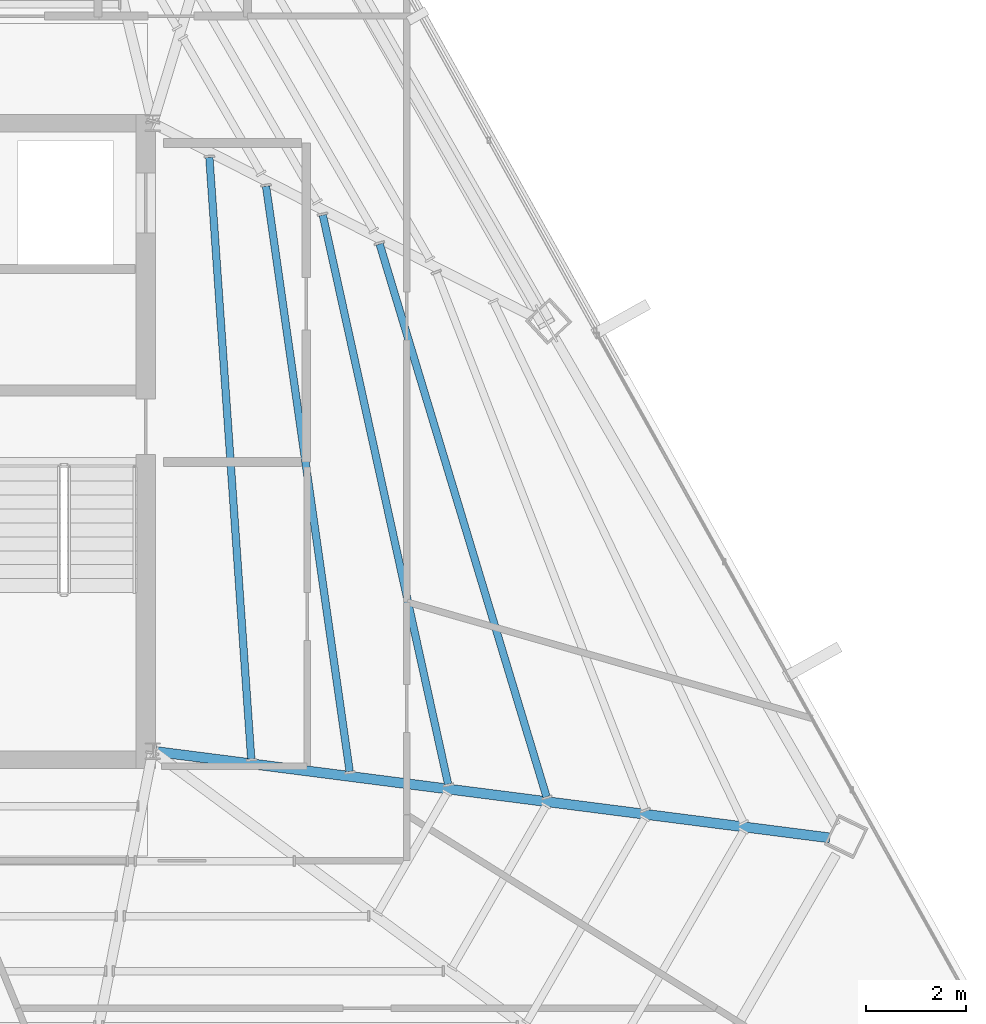
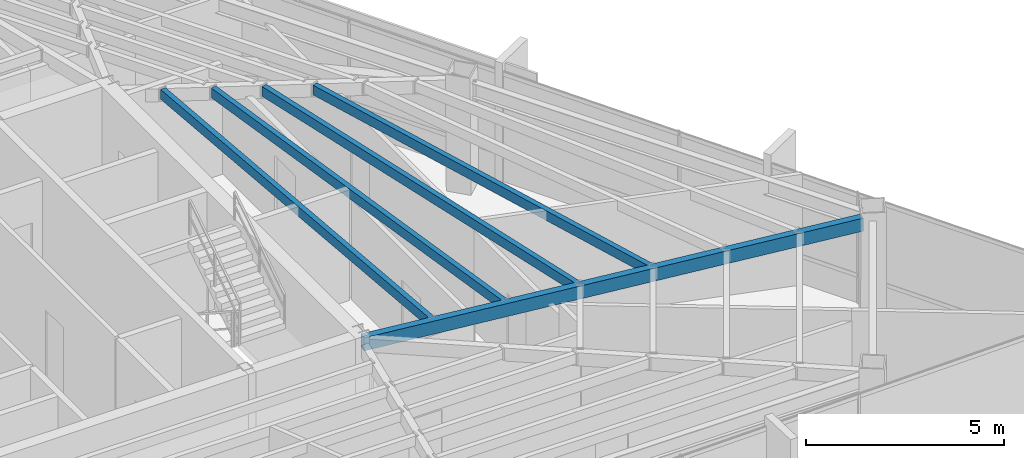
# One storey, part 22 of 48: 5 beams.
"""IFC4 building model written with IfcOpenShell, lengths in metres."""

from ifc_helpers import new_model, si_unit, direction, frame, origin, origin_2d, place, context, subcontext, project, spatial, hollow_rectangle, extrude, source, transform, mapped, material, material_profile, profile_set, type_object, type_shapes, element, save


model = new_model("IFC4")

# Units and contexts
model_context = context("Model", 3, precision=1e-05, world=origin(), true_north=direction((0.0, 1.0)))
body_context = subcontext(model_context, "Body", "Model", "MODEL_VIEW")
ifc_project = project(units=[si_unit("LENGTHUNIT", "METRE"), si_unit("AREAUNIT", "SQUARE_METRE"), si_unit("VOLUMEUNIT", "CUBIC_METRE"), si_unit("PLANEANGLEUNIT", "RADIAN"), si_unit("MASSUNIT", "GRAM", prefix="KILO")], contexts=[model_context])

# Site, building, storey
site_placement = place(None, origin())
site = spatial("IfcSite", under=ifc_project, at=site_placement, CompositionType="ELEMENT")
building_placement = place(site_placement, origin())
building = spatial("IfcBuilding", under=site, at=building_placement, Name="Caelisora Broadcast Tower", CompositionType="ELEMENT")
storey_placement = place(building_placement, frame((0.0, 0.0, 270.0)))
storey = spatial("IfcBuildingStorey", under=building, at=storey_placement, Name="L71", CompositionType="ELEMENT", Elevation=270.0)

# Beams
ifc_material = material(Name="Steel Grade 350 (AS/NZS 1163 C350L0)", Category="steel")
ifc_material_profile_1 = material_profile(ifc_material, hollow_rectangle(XDim=0.199951171875, YDim=0.39990234375, WallThickness=0.012451171875, at=origin_2d()), Name="Steel Grade 350 (AS/NZS 1163 C350L0)")
ifc_profile_set_1 = profile_set([ifc_material_profile_1], Name="Steel Grade 350 (AS/NZS 1163 C350L0)")
beam_type_1 = type_object("IfcBeamType", Name="PG07", PredefinedType="BEAM", material=ifc_profile_set_1)
shared_shape_1 = source(origin(), body_context, "Body", "SweptSolid", [
    extrude(hollow_rectangle(XDim=0.199951171875, YDim=0.39990234375, WallThickness=0.012451171875, at=origin_2d()), origin(), (0.0, 0.0, 1.0), 13.635498046875),
])
type_shapes(beam_type_1, [shared_shape_1])
beam_1_placement = place(storey_placement, frame((45.5595703125, 17.392333984375, 3.199951171875), z_axis=(0.991889132952, -0.127106049944, 0.0), x_axis=(0.127106049944, 0.991889132952, 0.0)))
element("IfcBeam", 1, at=beam_1_placement, inside=storey, type_object=beam_type_1, Name="L71 beam PG07", PredefinedType="BEAM", context=body_context, shape_type="MappedRepresentation", body=[
    mapped(shared_shape_1, transform((0.0, 0.0, 0.0), scale=1.0)),
])
ifc_material_profile_2 = material_profile(ifc_material, hollow_rectangle(XDim=0.14990234375, YDim=0.300048828125, WallThickness=0.010009765625, at=origin_2d()), Name="Steel Grade 350 (AS/NZS 1163 C350L0)")
ifc_profile_set_2 = profile_set([ifc_material_profile_2], Name="Steel Grade 350 (AS/NZS 1163 C350L0)")
beam_type_2 = type_object("IfcBeamType", Name="SB05", PredefinedType="JOIST", material=ifc_profile_set_2)
shared_shape_2 = source(origin(), body_context, "Body", "SweptSolid", [
    extrude(hollow_rectangle(XDim=0.14990234375, YDim=0.300048828125, WallThickness=0.010009765625, at=origin_2d()), origin(), (0.0, 0.0, 1.0), 12.097412109375),
])
beam_2_placement = place(storey_placement, frame((47.47607421875, 17.24462890625, 3.25), z_axis=(-0.069424047782, 0.99758724009, 0.0), x_axis=(-0.99758724009, -0.069424047782, 0.0)))
element("IfcBeam", 2, at=beam_2_placement, inside=storey, type_object=beam_type_2, Name="L71 beam SB05", PredefinedType="JOIST", context=body_context, shape_type="MappedRepresentation", body=[
    mapped(shared_shape_2, transform((0.0, 0.0, 0.0), scale=1.0)),
])
shared_shape_3 = source(origin(), body_context, "Body", "SweptSolid", [
    extrude(hollow_rectangle(XDim=0.14990234375, YDim=0.300048828125, WallThickness=0.010009765625, at=origin_2d()), origin(), (0.0, 0.0, 1.0), 11.862060546875),
])
beam_3_placement = place(storey_placement, frame((49.451416015625, 16.991455078125, 3.25), z_axis=(-0.14145881504, 0.989944141681, 0.0), x_axis=(-0.989944141681, -0.14145881504, 0.0)))
element("IfcBeam", 3, at=beam_3_placement, inside=storey, type_object=beam_type_2, Name="L71 beam SB05", PredefinedType="JOIST", context=body_context, shape_type="MappedRepresentation", body=[
    mapped(shared_shape_3, transform((0.0, 0.0, 0.0), scale=1.0)),
])
shared_shape_4 = source(origin(), body_context, "Body", "SweptSolid", [
    extrude(hollow_rectangle(XDim=0.14990234375, YDim=0.300048828125, WallThickness=0.010009765625, at=origin_2d()), origin(), (0.0, 0.0, 1.0), 11.68994140625),
])
beam_4_placement = place(storey_placement, frame((51.426513671875, 16.738525390625, 3.25), z_axis=(-0.215092457599, 0.97659368966, 0.0), x_axis=(-0.97659368966, -0.215092457599, 0.0)))
element("IfcBeam", 4, at=beam_4_placement, inside=storey, type_object=beam_type_2, Name="L71 beam SB05", PredefinedType="JOIST", context=body_context, shape_type="MappedRepresentation", body=[
    mapped(shared_shape_4, transform((0.0, 0.0, 0.0), scale=1.0)),
])
shared_shape_5 = source(origin(), body_context, "Body", "SweptSolid", [
    extrude(hollow_rectangle(XDim=0.14990234375, YDim=0.300048828125, WallThickness=0.010009765625, at=origin_2d()), origin(), (0.0, 0.0, 1.0), 11.58349609375),
])
type_shapes(beam_type_2, [shared_shape_2, shared_shape_3, shared_shape_4, shared_shape_5])
beam_5_placement = place(storey_placement, frame((53.400634765625, 16.485595703125, 3.25), z_axis=(-0.289062539415, 0.957310215294, 0.0), x_axis=(-0.957310215294, -0.289062539415, 0.0)))
element("IfcBeam", 5, at=beam_5_placement, inside=storey, type_object=beam_type_2, Name="L71 beam SB05", PredefinedType="JOIST", context=body_context, shape_type="MappedRepresentation", body=[
    mapped(shared_shape_5, transform((0.0, 0.0, 0.0), scale=1.0)),
])

save(model, "model.ifc")
